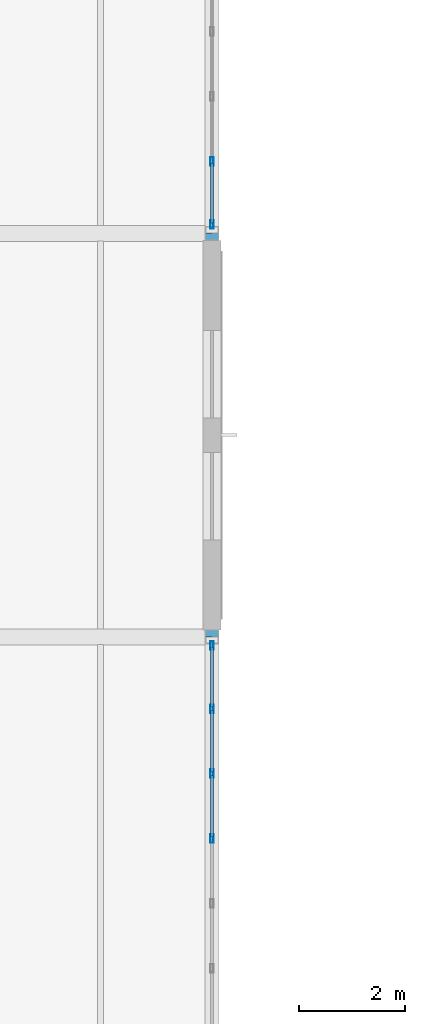
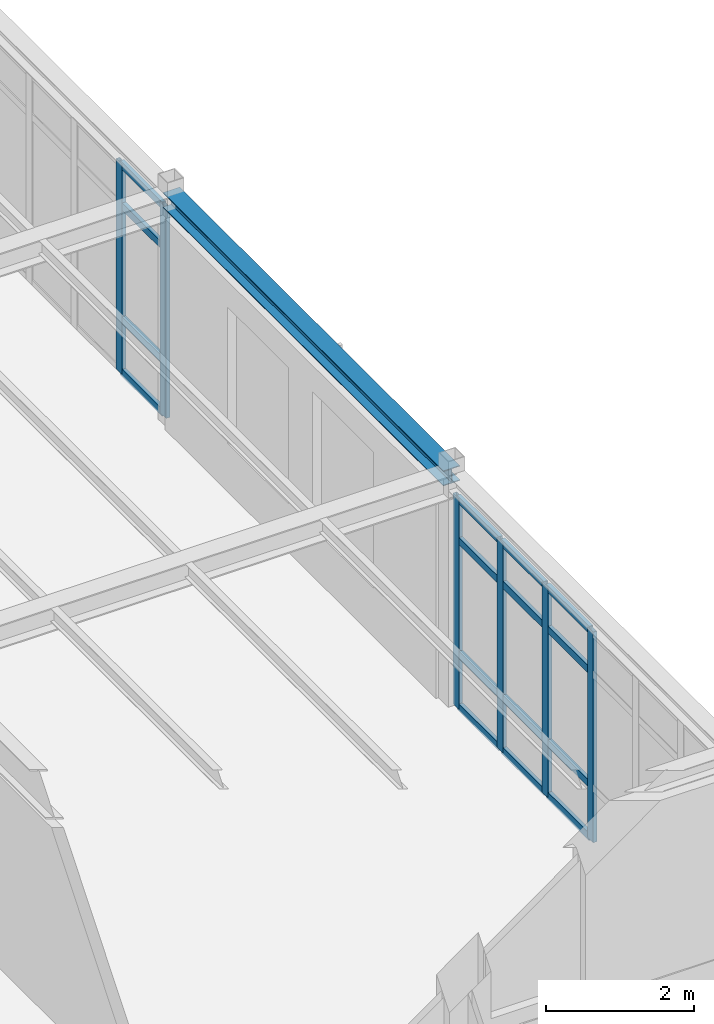
# One storey, part 97 of 189: 22 members, 1 beam, 2 elements without a shape of their own.
"""IFC4 building model written with IfcOpenShell, lengths in metres."""

import ifcopenshell
import ifcopenshell.guid

model = None  # the IFC model being written
_history = None  # IfcOwnerHistory: only IFC2X3 demands one
_inside = {}  # id of a spatial element -> (the spatial element, [elements in it])
_under = {}  # id of a project, library or spatial element -> (it, [spatial elements below it])
_declared = {}  # id of a project -> (the project, [libraries it declares])
_typed = {}  # id of a type object -> (the type object, [elements of that type])
_made_of = {}  # id of a material, layer set ... -> (it, [elements and type objects made of it])


def new_model(schema):
    """Start an empty IFC model of exactly this schema.

    Asked for "IFC4X3", IfcOpenShell would pick the latest addendum, in which some entities
    have other attributes; the version numbers below select the first issue.
    IFC2X3 requires an IfcOwnerHistory on every rooted entity: one is made here for all.
    """
    global model, _history
    if schema == "IFC4X3":
        model = ifcopenshell.file(schema_version=(4, 3, 0, 0))
    else:
        model = ifcopenshell.file(schema=schema)
    _inside.clear()
    _under.clear()
    _declared.clear()
    _typed.clear()
    _made_of.clear()
    _history = None
    if model.schema == "IFC2X3":
        org = make("IfcOrganization", Name="unknown")
        user = make(
            "IfcPersonAndOrganization",
            ThePerson=make("IfcPerson", FamilyName="unknown"),
            TheOrganization=org,
        )
        app = make(
            "IfcApplication",
            ApplicationDeveloper=org,
            Version="unknown",
            ApplicationFullName="unknown",
            ApplicationIdentifier="unknown",
        )
        _history = make(
            "IfcOwnerHistory",
            OwningUser=user,
            OwningApplication=app,
            ChangeAction="ADDED",
            CreationDate=0,
        )
    return model


def make(cls, **values):
    """One entity of the class cls with the attributes given. An attribute that is None is left unset."""
    return model.create_entity(
        cls, **{name: value for name, value in values.items() if value is not None}
    )


def rooted(cls, **values):
    """An entity with a GlobalId (a new one), such as an element, a storey or a relation."""
    return make(cls, GlobalId=ifcopenshell.guid.new(), OwnerHistory=_history, **values)


def si_unit(unit_type, name, prefix=None):
    """IfcSIUnit, for example si_unit("LENGTHUNIT", "METRE", prefix="MILLI")."""
    return make("IfcSIUnit", UnitType=unit_type, Prefix=prefix, Name=name)


def assignment(units):
    """IfcUnitAssignment: the units of a project."""
    return None if units is None else make("IfcUnitAssignment", Units=units)


def point(xyz):
    """IfcCartesianPoint."""
    return None if xyz is None else make("IfcCartesianPoint", Coordinates=xyz)


def direction(xyz):
    """IfcDirection."""
    return None if xyz is None else make("IfcDirection", DirectionRatios=xyz)


def frame(location, z_axis=None, x_axis=None):
    """IfcAxis2Placement3D, a coordinate frame: its origin and axes. An axis left out is left unset."""
    return make(
        "IfcAxis2Placement3D",
        Location=point(location),
        Axis=direction(z_axis),
        RefDirection=direction(x_axis),
    )


def frame_2d(location, x_axis=None):
    """IfcAxis2Placement2D, a coordinate frame in the plane: its origin and x axis."""
    return make(
        "IfcAxis2Placement2D", Location=point(location), RefDirection=direction(x_axis)
    )


def origin():
    """The frame at (0, 0, 0) with its axes left unset."""
    return frame((0.0, 0.0, 0.0))


def origin_2d():
    """The frame at (0, 0) in the plane with its x axis left unset."""
    return frame_2d((0.0, 0.0))


def place(relative_to, where):
    """IfcLocalPlacement: puts the frame where relative to a parent placement (None: the world)."""
    return make(
        "IfcLocalPlacement", PlacementRelTo=relative_to, RelativePlacement=where
    )


def context(
    kind, dimensions, precision=None, world=None, true_north=None, identifier=None
):
    """IfcGeometricRepresentationContext, for example the 3D "Model" context."""
    return make(
        "IfcGeometricRepresentationContext",
        ContextIdentifier=identifier,
        ContextType=kind,
        CoordinateSpaceDimension=dimensions,
        Precision=precision,
        WorldCoordinateSystem=world,
        TrueNorth=true_north,
    )


def subcontext(parent, identifier, kind, view, scale=None):
    """IfcGeometricRepresentationSubContext, for example "Body" below "Model"."""
    return make(
        "IfcGeometricRepresentationSubContext",
        ContextIdentifier=identifier,
        ContextType=kind,
        ParentContext=parent,
        TargetScale=scale,
        TargetView=view,
    )


def project(units=None, contexts=None):
    """IfcProject with its units and contexts."""
    return rooted(
        "IfcProject",
        Name="project",
        RepresentationContexts=contexts,
        UnitsInContext=assignment(units),
    )


def spatial(cls, under=None, at=None, **own):
    """A site, building, storey or space (cls), placed at a placement, below another one or the project."""
    s = rooted(cls, ObjectPlacement=at, **own)
    if under is not None:
        _under.setdefault(under.id(), (under, []))[1].append(s)
    return s


def profile(cls, at=None, kind="AREA", **sizes):
    """A parametric profile (cls). Its sizes go by their IFC names, for example OverallWidth=200.0."""
    return make(cls, ProfileType=kind, Position=at, **sizes)


def hollow_rectangle(**sizes):
    """IfcRectangleHollowProfileDef."""
    return profile("IfcRectangleHollowProfileDef", **sizes)


def i_section(**sizes):
    """IfcIShapeProfileDef."""
    return profile("IfcIShapeProfileDef", **sizes)


def extrude(swept, where, along, depth):
    """IfcExtrudedAreaSolid: the profile swept, set in the frame where, extruded along a direction by depth."""
    return make(
        "IfcExtrudedAreaSolid",
        SweptArea=swept,
        Position=where,
        ExtrudedDirection=direction(along),
        Depth=depth,
    )


def shape(context_of_items, identifier, shape_type, items):
    """IfcShapeRepresentation: the items that make up one representation, for example the "Body"."""
    return make(
        "IfcShapeRepresentation",
        ContextOfItems=context_of_items,
        RepresentationIdentifier=identifier,
        RepresentationType=shape_type,
        Items=items,
    )


def material(Name=None, Category=None):
    """IfcMaterial."""
    return make("IfcMaterial", Name=Name, Category=Category)


def layer(
    of_material, thickness, ventilated=None, Name=None, Category=None, Priority=None
):
    """IfcMaterialLayer: one layer of a wall or slab, of a material (None: an air gap)."""
    return make(
        "IfcMaterialLayer",
        Material=of_material,
        LayerThickness=thickness,
        IsVentilated=ventilated,
        Name=Name,
        Category=Category,
        Priority=Priority,
    )


def layer_set(layers, Name=None):
    """IfcMaterialLayerSet."""
    return make("IfcMaterialLayerSet", MaterialLayers=layers, LayerSetName=Name)


def material_profile(
    of_material, cross_section, Name=None, Category=None, Priority=None
):
    """IfcMaterialProfile: a cross section and its material."""
    return make(
        "IfcMaterialProfile",
        Name=Name,
        Material=of_material,
        Profile=cross_section,
        Priority=Priority,
        Category=Category,
    )


def profile_set(profiles, Name=None, composite=None):
    """IfcMaterialProfileSet."""
    return make(
        "IfcMaterialProfileSet",
        Name=Name,
        MaterialProfiles=profiles,
        CompositeProfile=composite,
    )


def made_of(thing, what):
    """Note that an element or type object is made of a material, layer set ...; save() writes the relation."""
    if what is not None:
        _made_of.setdefault(what.id(), (what, []))[1].append(thing)
    return thing


def type_object(cls, material=None, **own):
    """A type object (cls), such as IfcWallType, which elements share."""
    return made_of(rooted(cls, **own), material)


def element(
    cls,
    number,
    at=None,
    inside=None,
    cuts=None,
    type_object=None,
    material=None,
    context=None,
    identifier="Body",
    shape_type=None,
    held_by="IfcProductDefinitionShape",
    body=None,
    shapes=None,
    **own,
):
    """One element of the class cls, such as IfcWall. Its Tag is "e" and its number.

    at: its placement. inside: the storey or other place that contains it. cuts: it is an
    opening in that element (IfcRelVoidsElement). A single representation is given by context,
    identifier, shape_type and body (its items); several are given by shapes. held_by: the class
    of the entity that holds the representations. save() writes the other relations.
    """
    e = rooted(cls, Tag="e%d" % number, ObjectPlacement=at, **own)
    if body is not None:
        shapes = [shape(context, identifier, shape_type, body)]
    if shapes is not None:
        e.Representation = make(held_by, Representations=shapes)
    if inside is not None:
        _inside.setdefault(inside.id(), (inside, []))[1].append(e)
    if cuts is not None:
        rooted(
            "IfcRelVoidsElement", RelatingBuildingElement=cuts, RelatedOpeningElement=e
        )
    if type_object is not None:
        _typed.setdefault(type_object.id(), (type_object, []))[1].append(e)
    return made_of(e, material)


def aggregate(whole, parts):
    """IfcRelAggregates: a whole, such as a stair, and the parts it consists of."""
    return rooted("IfcRelAggregates", RelatingObject=whole, RelatedObjects=parts)


def save(model, path):
    """Write the relations noted so far, then the file.

    IfcRelAggregates (storeys below a building ...), IfcRelContainedInSpatialStructure (elements
    in a storey), IfcRelDefinesByType, IfcRelAssociatesMaterial and IfcRelDeclares: one each for
    every whole, place, type object, material and project.
    """
    for whole, parts in _under.values():
        aggregate(whole, parts)
    for where, things in _inside.values():
        rooted(
            "IfcRelContainedInSpatialStructure",
            RelatedElements=things,
            RelatingStructure=where,
        )
    for kind, things in _typed.values():
        rooted("IfcRelDefinesByType", RelatedObjects=things, RelatingType=kind)
    for what, things in _made_of.values():
        rooted("IfcRelAssociatesMaterial", RelatedObjects=things, RelatingMaterial=what)
    for by, libraries in _declared.values():
        rooted("IfcRelDeclares", RelatingContext=by, RelatedDefinitions=libraries)
    model.write(path)


model = new_model("IFC4")

# Units and contexts
model_context = context("Model", 3, precision=1e-05, world=origin(), true_north=direction((0.0, 1.0)))
body_context = subcontext(model_context, "Body", "Model", "MODEL_VIEW")
ifc_project = project(units=[si_unit("LENGTHUNIT", "METRE"), si_unit("AREAUNIT", "SQUARE_METRE"), si_unit("VOLUMEUNIT", "CUBIC_METRE"), si_unit("PLANEANGLEUNIT", "RADIAN"), si_unit("MASSUNIT", "GRAM", prefix="KILO")], contexts=[model_context])

# Site, building, storey
site_placement = place(None, origin())
site = spatial("IfcSite", under=ifc_project, at=site_placement, CompositionType="ELEMENT")
building_placement = place(site_placement, origin())
building = spatial("IfcBuilding", under=site, at=building_placement, Name="Montecoro Central Library", CompositionType="ELEMENT")
storey_placement = place(building_placement, frame((0.0, 0.0, 9.179931640625)))
storey = spatial("IfcBuildingStorey", under=building, at=storey_placement, Name="L02", CompositionType="ELEMENT", Elevation=9.179931640625)

# Beam
ifc_material_1 = material(Name="Steel S355", Category="steel")
ifc_material_profile_1 = material_profile(ifc_material_1, i_section(OverallWidth=0.260009765625, OverallDepth=0.25, WebThickness=0.007568359375, FlangeThickness=0.012451171875, at=origin_2d()), Name="HEA 260")
ifc_profile_set_1 = profile_set([ifc_material_profile_1], Name="Steel S355")
beam_type = type_object("IfcBeamType", Name="BM-SP-HEA260", PredefinedType="SPANDREL", material=ifc_profile_set_1)
beam_placement = place(storey_placement, frame((116.800048828125, 88.60498046875, 3.699951171875), z_axis=(0.0, 1.0, 0.0), x_axis=(-1.0, 0.0, 0.0)))
element("IfcBeam", 1, at=beam_placement, inside=storey, type_object=beam_type, Name="V2-L02-BY-15-MN", PredefinedType="SPANDREL", context=body_context, shape_type="SweptSolid", body=[
    extrude(i_section(OverallWidth=0.260009765625, OverallDepth=0.25, WebThickness=0.007568359375, FlangeThickness=0.012451171875, at=origin_2d()), origin(), (0.0, 0.0, 1.0), 7.590087890625),
])

# Curtain wall, members
ifc_material_2 = material(Name="Bronze-anodised aluminium and low-E glazing", Category="aluminium")
ifc_layer = layer(ifc_material_2, 0.159912109375)
ifc_layer_set = layer_set([ifc_layer], Name="Bronze-anodised aluminium and low-E glazing")
curtain_wall_type = type_object("IfcCurtainWallType", Name="CWT-015", PredefinedType="NOTDEFINED", material=ifc_layer_set)
curtain_wall_1_placement = place(storey_placement, origin())
curtain_wall_1 = element("IfcCurtainWall", 2, at=curtain_wall_1_placement, inside=storey, type_object=curtain_wall_type, Name="V2-L02-CW-E0", PredefinedType="NOTDEFINED")
ifc_material_3 = material(Name="Bronze-anodised aluminium", Category="aluminium")
ifc_material_profile_2 = material_profile(ifc_material_3, hollow_rectangle(XDim=0.06005859375, YDim=0.159912109375, WallThickness=0.00390625, at=origin_2d()), Name="CWM 160x60x4.0")
ifc_profile_set_2 = profile_set([ifc_material_profile_2], Name="Bronze-anodised aluminium")
member_type_1 = type_object("IfcMemberType", Name="CWM-BRZ-60", PredefinedType="MULLION", material=ifc_profile_set_2)
member_1_placement = place(storey_placement, frame((116.800048828125, 84.800048828125, 0.0), z_axis=(0.0, 0.0, 1.0), x_axis=(-1.0, 0.0, 0.0)))
member_1 = element("IfcMember", 3, at=member_1_placement, type_object=member_type_1, Name="CW-015 mullion 4", PredefinedType="MULLION", context=body_context, shape_type="SweptSolid", body=[
    extrude(hollow_rectangle(XDim=0.06005859375, YDim=0.159912109375, WallThickness=0.00390625, at=origin_2d()), origin(), (0.0, 0.0, 1.0), 3.47998046875),
])
member_2_placement = place(storey_placement, frame((116.800048828125, 86.022216796875, 0.0), z_axis=(0.0, 0.0, 1.0), x_axis=(-1.0, 0.0, 0.0)))
member_2 = element("IfcMember", 4, at=member_2_placement, type_object=member_type_1, Name="CW-015 mullion 5", PredefinedType="MULLION", context=body_context, shape_type="SweptSolid", body=[
    extrude(hollow_rectangle(XDim=0.06005859375, YDim=0.159912109375, WallThickness=0.00390625, at=origin_2d()), origin(), (0.0, 0.0, 1.0), 3.47998046875),
])
member_3_placement = place(storey_placement, frame((116.800048828125, 87.24462890625, 0.0), z_axis=(0.0, 0.0, 1.0), x_axis=(-1.0, 0.0, 0.0)))
member_3 = element("IfcMember", 5, at=member_3_placement, type_object=member_type_1, Name="CW-015 mullion 6", PredefinedType="MULLION", context=body_context, shape_type="SweptSolid", body=[
    extrude(hollow_rectangle(XDim=0.06005859375, YDim=0.159912109375, WallThickness=0.00390625, at=origin_2d()), origin(), (0.0, 0.0, 1.0), 3.47998046875),
])
member_4_placement = place(storey_placement, frame((116.800048828125, 88.43701171875, 0.0), z_axis=(0.0, 0.0, 1.0), x_axis=(-1.0, 0.0, 0.0)))
member_4 = element("IfcMember", 6, at=member_4_placement, type_object=member_type_1, Name="CW-015 mullion 7", PredefinedType="MULLION", context=body_context, shape_type="SweptSolid", body=[
    extrude(hollow_rectangle(XDim=0.06005859375, YDim=0.159912109375, WallThickness=0.00390625, at=origin_2d()), origin(), (0.0, 0.0, 1.0), 3.47998046875),
])

curtain_wall_2_placement = place(storey_placement, origin())
curtain_wall_2 = element("IfcCurtainWall", 7, at=curtain_wall_2_placement, inside=storey, type_object=curtain_wall_type, Name="V2-L02-CW-E2", PredefinedType="NOTDEFINED")
member_5_placement = place(storey_placement, frame((116.800048828125, 96.363037109375, 0.0), z_axis=(0.0, 0.0, 1.0), x_axis=(-1.0, 0.0, 0.0)))
member_5 = element("IfcMember", 8, at=member_5_placement, type_object=member_type_1, Name="CW-015 mullion 1", PredefinedType="MULLION", context=body_context, shape_type="SweptSolid", body=[
    extrude(hollow_rectangle(XDim=0.06005859375, YDim=0.159912109375, WallThickness=0.00390625, at=origin_2d()), origin(), (0.0, 0.0, 1.0), 3.47998046875),
])
member_6_placement = place(storey_placement, frame((116.800048828125, 97.555419921875, 0.0), z_axis=(0.0, 0.0, 1.0), x_axis=(-1.0, 0.0, 0.0)))
member_6 = element("IfcMember", 9, at=member_6_placement, type_object=member_type_1, Name="CW-015 mullion 2", PredefinedType="MULLION", context=body_context, shape_type="SweptSolid", body=[
    extrude(hollow_rectangle(XDim=0.06005859375, YDim=0.159912109375, WallThickness=0.00390625, at=origin_2d()), origin(), (0.0, 0.0, 1.0), 3.47998046875),
])

# Member
ifc_material_profile_3 = material_profile(ifc_material_3, hollow_rectangle(XDim=0.06005859375, YDim=0.1201171875, WallThickness=0.00390625, at=origin_2d()), Name="CWT 120x60x4.0")
ifc_profile_set_3 = profile_set([ifc_material_profile_3], Name="Bronze-anodised aluminium")
member_type_2 = type_object("IfcMemberType", Name="CWT-BRZ-60", PredefinedType="USERDEFINED", material=ifc_profile_set_3)
member_7_placement = place(storey_placement, frame((116.800048828125, 84.830078125, 0.030029296875), z_axis=(0.0, 1.0, 0.0), x_axis=(-1.0, 0.0, 0.0)))
member_7 = element("IfcMember", 10, at=member_7_placement, type_object=member_type_2, Name="CW-015 transom 4.1", ObjectType="TRANSOM", PredefinedType="USERDEFINED", context=body_context, shape_type="SweptSolid", body=[
    extrude(hollow_rectangle(XDim=0.06005859375, YDim=0.1201171875, WallThickness=0.00390625, at=origin_2d()), origin(), (0.0, 0.0, 1.0), 1.162353515625),
])

member_8_placement = place(storey_placement, frame((116.800048828125, 84.830078125, 0.900146484375), z_axis=(0.0, 1.0, 0.0), x_axis=(-1.0, 0.0, 0.0)))
member_8 = element("IfcMember", 11, at=member_8_placement, type_object=member_type_2, Name="CW-015 transom 4.2", ObjectType="TRANSOM", PredefinedType="USERDEFINED", context=body_context, shape_type="SweptSolid", body=[
    extrude(hollow_rectangle(XDim=0.06005859375, YDim=0.1201171875, WallThickness=0.00390625, at=origin_2d()), origin(), (0.0, 0.0, 1.0), 1.162353515625),
])

member_9_placement = place(storey_placement, frame((116.800048828125, 84.830078125, 2.780029296875), z_axis=(0.0, 1.0, 0.0), x_axis=(-1.0, 0.0, 0.0)))
member_9 = element("IfcMember", 12, at=member_9_placement, type_object=member_type_2, Name="CW-015 transom 4.3", ObjectType="TRANSOM", PredefinedType="USERDEFINED", context=body_context, shape_type="SweptSolid", body=[
    extrude(hollow_rectangle(XDim=0.06005859375, YDim=0.1201171875, WallThickness=0.00390625, at=origin_2d()), origin(), (0.0, 0.0, 1.0), 1.162353515625),
])

member_10_placement = place(storey_placement, frame((116.800048828125, 84.830078125, 3.449951171875), z_axis=(0.0, 1.0, 0.0), x_axis=(-1.0, 0.0, 0.0)))
member_10 = element("IfcMember", 13, at=member_10_placement, type_object=member_type_2, Name="CW-015 transom 4.4", ObjectType="TRANSOM", PredefinedType="USERDEFINED", context=body_context, shape_type="SweptSolid", body=[
    extrude(hollow_rectangle(XDim=0.06005859375, YDim=0.1201171875, WallThickness=0.00390625, at=origin_2d()), origin(), (0.0, 0.0, 1.0), 1.162353515625),
])

member_11_placement = place(storey_placement, frame((116.800048828125, 86.05224609375, 0.030029296875), z_axis=(0.0, 1.0, 0.0), x_axis=(-1.0, 0.0, 0.0)))
member_11 = element("IfcMember", 14, at=member_11_placement, type_object=member_type_2, Name="CW-015 transom 5.1", ObjectType="TRANSOM", PredefinedType="USERDEFINED", context=body_context, shape_type="SweptSolid", body=[
    extrude(hollow_rectangle(XDim=0.06005859375, YDim=0.1201171875, WallThickness=0.00390625, at=origin_2d()), origin(), (0.0, 0.0, 1.0), 1.162353515625),
])

member_12_placement = place(storey_placement, frame((116.800048828125, 86.05224609375, 0.900146484375), z_axis=(0.0, 1.0, 0.0), x_axis=(-1.0, 0.0, 0.0)))
member_12 = element("IfcMember", 15, at=member_12_placement, type_object=member_type_2, Name="CW-015 transom 5.2", ObjectType="TRANSOM", PredefinedType="USERDEFINED", context=body_context, shape_type="SweptSolid", body=[
    extrude(hollow_rectangle(XDim=0.06005859375, YDim=0.1201171875, WallThickness=0.00390625, at=origin_2d()), origin(), (0.0, 0.0, 1.0), 1.162353515625),
])

member_13_placement = place(storey_placement, frame((116.800048828125, 86.05224609375, 2.780029296875), z_axis=(0.0, 1.0, 0.0), x_axis=(-1.0, 0.0, 0.0)))
member_13 = element("IfcMember", 16, at=member_13_placement, type_object=member_type_2, Name="CW-015 transom 5.3", ObjectType="TRANSOM", PredefinedType="USERDEFINED", context=body_context, shape_type="SweptSolid", body=[
    extrude(hollow_rectangle(XDim=0.06005859375, YDim=0.1201171875, WallThickness=0.00390625, at=origin_2d()), origin(), (0.0, 0.0, 1.0), 1.162353515625),
])

member_14_placement = place(storey_placement, frame((116.800048828125, 86.05224609375, 3.449951171875), z_axis=(0.0, 1.0, 0.0), x_axis=(-1.0, 0.0, 0.0)))
member_14 = element("IfcMember", 17, at=member_14_placement, type_object=member_type_2, Name="CW-015 transom 5.4", ObjectType="TRANSOM", PredefinedType="USERDEFINED", context=body_context, shape_type="SweptSolid", body=[
    extrude(hollow_rectangle(XDim=0.06005859375, YDim=0.1201171875, WallThickness=0.00390625, at=origin_2d()), origin(), (0.0, 0.0, 1.0), 1.162353515625),
])

member_15_placement = place(storey_placement, frame((116.800048828125, 87.274658203125, 0.030029296875), z_axis=(0.0, 1.0, 0.0), x_axis=(-1.0, 0.0, 0.0)))
member_15 = element("IfcMember", 18, at=member_15_placement, type_object=member_type_2, Name="CW-015 transom 6.1", ObjectType="TRANSOM", PredefinedType="USERDEFINED", context=body_context, shape_type="SweptSolid", body=[
    extrude(hollow_rectangle(XDim=0.06005859375, YDim=0.1201171875, WallThickness=0.00390625, at=origin_2d()), origin(), (0.0, 0.0, 1.0), 1.13232421875),
])

member_16_placement = place(storey_placement, frame((116.800048828125, 87.274658203125, 0.900146484375), z_axis=(0.0, 1.0, 0.0), x_axis=(-1.0, 0.0, 0.0)))
member_16 = element("IfcMember", 19, at=member_16_placement, type_object=member_type_2, Name="CW-015 transom 6.2", ObjectType="TRANSOM", PredefinedType="USERDEFINED", context=body_context, shape_type="SweptSolid", body=[
    extrude(hollow_rectangle(XDim=0.06005859375, YDim=0.1201171875, WallThickness=0.00390625, at=origin_2d()), origin(), (0.0, 0.0, 1.0), 1.13232421875),
])

member_17_placement = place(storey_placement, frame((116.800048828125, 87.274658203125, 2.780029296875), z_axis=(0.0, 1.0, 0.0), x_axis=(-1.0, 0.0, 0.0)))
member_17 = element("IfcMember", 20, at=member_17_placement, type_object=member_type_2, Name="CW-015 transom 6.3", ObjectType="TRANSOM", PredefinedType="USERDEFINED", context=body_context, shape_type="SweptSolid", body=[
    extrude(hollow_rectangle(XDim=0.06005859375, YDim=0.1201171875, WallThickness=0.00390625, at=origin_2d()), origin(), (0.0, 0.0, 1.0), 1.13232421875),
])

member_18_placement = place(storey_placement, frame((116.800048828125, 87.274658203125, 3.449951171875), z_axis=(0.0, 1.0, 0.0), x_axis=(-1.0, 0.0, 0.0)))
member_18 = element("IfcMember", 21, at=member_18_placement, type_object=member_type_2, Name="CW-015 transom 6.4", ObjectType="TRANSOM", PredefinedType="USERDEFINED", context=body_context, shape_type="SweptSolid", body=[
    extrude(hollow_rectangle(XDim=0.06005859375, YDim=0.1201171875, WallThickness=0.00390625, at=origin_2d()), origin(), (0.0, 0.0, 1.0), 1.13232421875),
])

aggregate(curtain_wall_1, [member_1, member_2, member_3, member_4, member_7, member_8, member_9, member_10, member_11, member_12, member_13, member_14, member_15, member_16, member_17, member_18])

member_19_placement = place(storey_placement, frame((116.800048828125, 96.39306640625, 0.030029296875), z_axis=(0.0, 1.0, 0.0), x_axis=(-1.0, 0.0, 0.0)))
member_19 = element("IfcMember", 22, at=member_19_placement, type_object=member_type_2, Name="CW-015 transom 1.1", ObjectType="TRANSOM", PredefinedType="USERDEFINED", context=body_context, shape_type="SweptSolid", body=[
    extrude(hollow_rectangle(XDim=0.06005859375, YDim=0.1201171875, WallThickness=0.00390625, at=origin_2d()), origin(), (0.0, 0.0, 1.0), 1.13232421875),
])

member_20_placement = place(storey_placement, frame((116.800048828125, 96.39306640625, 0.900146484375), z_axis=(0.0, 1.0, 0.0), x_axis=(-1.0, 0.0, 0.0)))
member_20 = element("IfcMember", 23, at=member_20_placement, type_object=member_type_2, Name="CW-015 transom 1.2", ObjectType="TRANSOM", PredefinedType="USERDEFINED", context=body_context, shape_type="SweptSolid", body=[
    extrude(hollow_rectangle(XDim=0.06005859375, YDim=0.1201171875, WallThickness=0.00390625, at=origin_2d()), origin(), (0.0, 0.0, 1.0), 1.13232421875),
])

member_21_placement = place(storey_placement, frame((116.800048828125, 96.39306640625, 2.780029296875), z_axis=(0.0, 1.0, 0.0), x_axis=(-1.0, 0.0, 0.0)))
member_21 = element("IfcMember", 24, at=member_21_placement, type_object=member_type_2, Name="CW-015 transom 1.3", ObjectType="TRANSOM", PredefinedType="USERDEFINED", context=body_context, shape_type="SweptSolid", body=[
    extrude(hollow_rectangle(XDim=0.06005859375, YDim=0.1201171875, WallThickness=0.00390625, at=origin_2d()), origin(), (0.0, 0.0, 1.0), 1.13232421875),
])

member_22_placement = place(storey_placement, frame((116.800048828125, 96.39306640625, 3.449951171875), z_axis=(0.0, 1.0, 0.0), x_axis=(-1.0, 0.0, 0.0)))
member_22 = element("IfcMember", 25, at=member_22_placement, type_object=member_type_2, Name="CW-015 transom 1.4", ObjectType="TRANSOM", PredefinedType="USERDEFINED", context=body_context, shape_type="SweptSolid", body=[
    extrude(hollow_rectangle(XDim=0.06005859375, YDim=0.1201171875, WallThickness=0.00390625, at=origin_2d()), origin(), (0.0, 0.0, 1.0), 1.13232421875),
])

aggregate(curtain_wall_2, [member_5, member_6, member_19, member_20, member_21, member_22])

save(model, "model.ifc")
